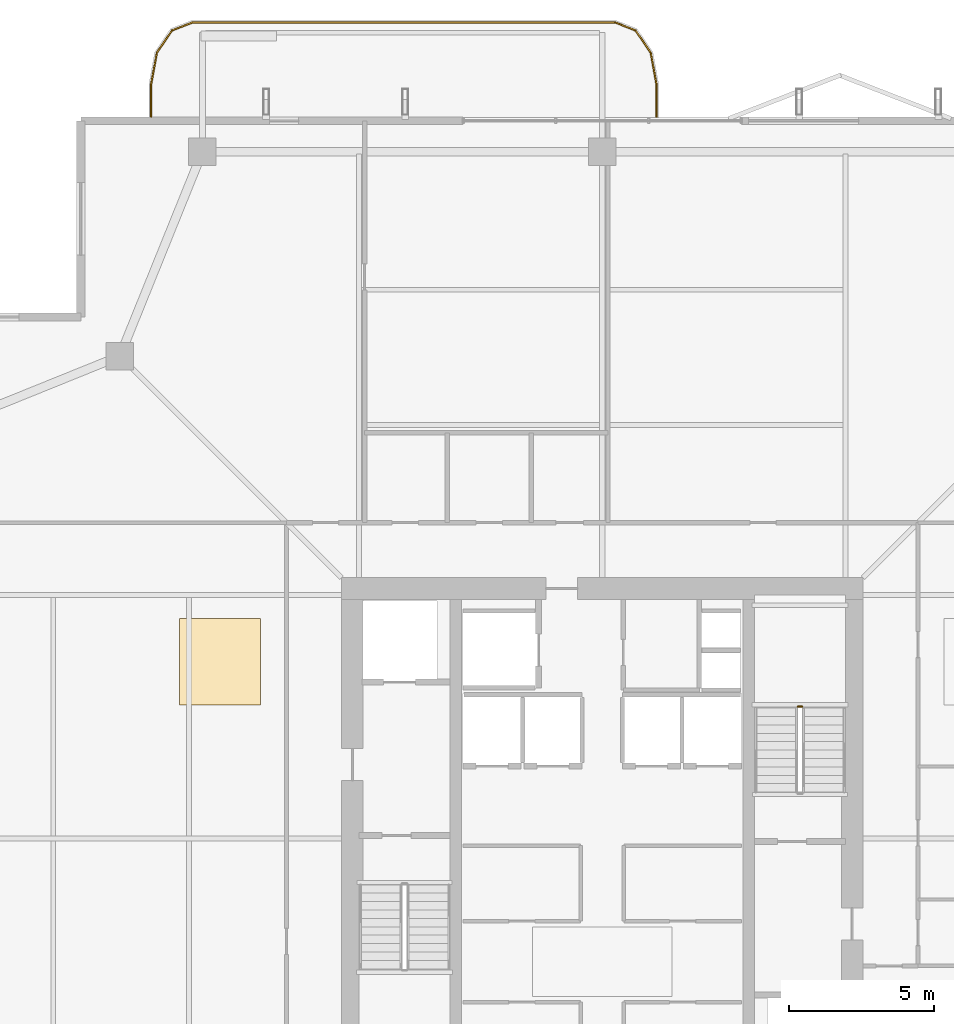
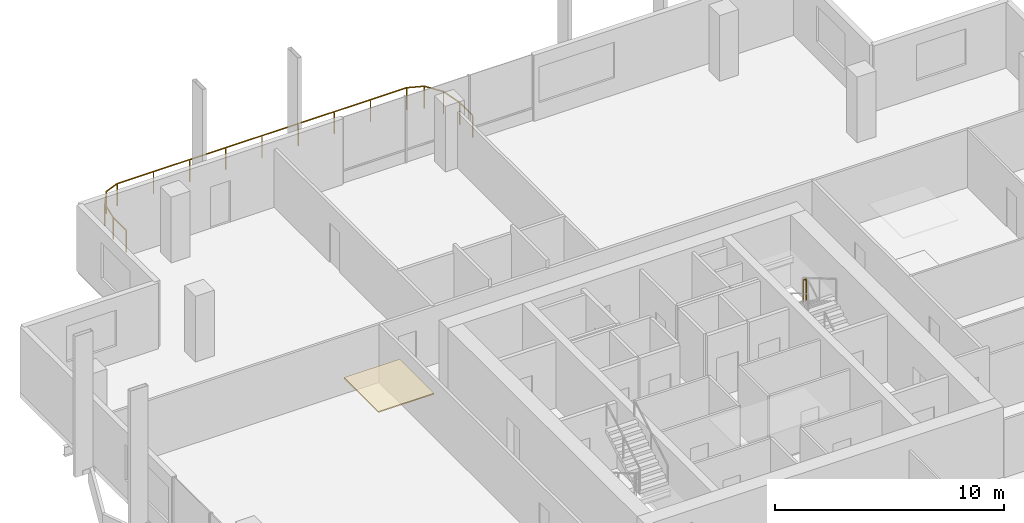
# One storey, part 24 of 25: 2 railings, 1 covering.
"""IFC4 building model written with IfcOpenShell, lengths in metres."""

from ifc_helpers import new_model, si_unit, direction, frame, origin, origin_2d, place, context, subcontext, project, spatial, polyline, rectangle, outline, extrude, material, layer, layer_set, type_object, element, save


model = new_model("IFC4")

# Units and contexts
model_context = context("Model", 3, precision=1e-05, world=origin(), true_north=direction((0.0, 1.0)))
body_context = subcontext(model_context, "Body", "Model", "MODEL_VIEW")
ifc_project = project(units=[si_unit("LENGTHUNIT", "METRE"), si_unit("AREAUNIT", "SQUARE_METRE"), si_unit("VOLUMEUNIT", "CUBIC_METRE"), si_unit("PLANEANGLEUNIT", "RADIAN"), si_unit("MASSUNIT", "GRAM", prefix="KILO")], contexts=[model_context])

# Site, building, storey
site_placement = place(None, origin())
site = spatial("IfcSite", under=ifc_project, at=site_placement, CompositionType="ELEMENT")
building_placement = place(site_placement, origin())
building = spatial("IfcBuilding", under=site, at=building_placement, Name="Belovzor Exchange Tower", CompositionType="ELEMENT")
storey_placement = place(building_placement, frame((0.0, 0.0, 250.35009765625)))
storey = spatial("IfcBuildingStorey", under=building, at=storey_placement, Name="L62", CompositionType="ELEMENT", Elevation=250.35009765625)

# Railings
ifc_material_1 = material(Name="Stainless Steel and Laminated Safety Glass", Category="steel")
railing_type_1 = type_object("IfcRailingType", Name="Laminated Glass & Stainless Steel Balcony Balustrade 1200", PredefinedType="BALUSTRADE", material=ifc_material_1)
railing_1_placement = place(storey_placement, frame((30.669921875, 53.7099609375, 0.0)))
element("IfcRailing", 1, at=railing_1_placement, inside=storey, type_object=railing_type_1, Name="GR-1 Balcony Balustrade L62 North", PredefinedType="BALUSTRADE", context=body_context, shape_type="SweptSolid", body=[
    extrude(rectangle(XDim=0.048095703125, YDim=0.048095703125, at=origin_2d()), frame((0.0, 0.0, 1.17578125), z_axis=(0.0, 1.0, 0.0), x_axis=(-1.0, 0.0, 0.0)), (0.0, 0.0, 1.0), 1.133056640625),
    extrude(rectangle(XDim=0.048095703125, YDim=0.048095703125, at=origin_2d()), frame((0.0, 1.133056640625, 1.17578125), z_axis=(-0.180122719713, 0.983644145941, 0.0), x_axis=(-0.983644145941, -0.180122719713, 0.0)), (0.0, 0.0, 1.0), 1.09375),
    extrude(rectangle(XDim=0.048095703125, YDim=0.048095703125, at=origin_2d()), frame((-0.197021484375, 2.208984375, 1.17578125), z_axis=(-0.562768145367, 0.826614792125, 0.0), x_axis=(-0.826614792125, -0.562768145367, 0.0)), (0.0, 0.0, 1.0), 0.9326171875),
    extrude(rectangle(XDim=0.048095703125, YDim=0.048095703125, at=origin_2d()), frame((-0.721923828125, 2.97998046875, 1.17578125), z_axis=(-0.930766990125, 0.365612923861, 0.0), x_axis=(-0.365612923861, -0.930766990125, 0.0)), (0.0, 0.0, 1.0), 0.765869140625),
    extrude(rectangle(XDim=0.048095703125, YDim=0.048095703125, at=origin_2d()), frame((-1.434814453125, 3.260009765625, 1.17578125), z_axis=(-1.0, 0.0, 0.0), x_axis=(0.0, -1.0, 0.0)), (0.0, 0.0, 1.0), 14.570068359375),
    extrude(rectangle(XDim=0.048095703125, YDim=0.048095703125, at=origin_2d()), frame((-16.0048828125, 3.260009765625, 1.17578125), z_axis=(-0.930809580156, -0.365504480807, 0.0), x_axis=(0.365504480807, -0.930809580156, 0.0)), (0.0, 0.0, 1.0), 0.76611328125),
    extrude(rectangle(XDim=0.048095703125, YDim=0.048095703125, at=origin_2d()), frame((-16.718017578125, 2.97998046875, 1.17578125), z_axis=(-0.562768145367, -0.826614792125, 0.0), x_axis=(0.826614792125, -0.562768145367, 0.0)), (0.0, 0.0, 1.0), 0.9326171875),
    extrude(rectangle(XDim=0.048095703125, YDim=0.048095703125, at=origin_2d()), frame((-17.242919921875, 2.208984375, 1.17578125), z_axis=(-0.180122719713, -0.983644145941, 0.0), x_axis=(0.983644145941, -0.180122719713, 0.0)), (0.0, 0.0, 1.0), 1.09375),
    extrude(rectangle(XDim=0.048095703125, YDim=0.048095703125, at=origin_2d()), frame((-17.43994140625, 1.133056640625, 1.17578125), z_axis=(0.0, -1.0, 0.0), x_axis=(1.0, 0.0, 0.0)), (0.0, 0.0, 1.0), 1.133056640625),
    extrude(rectangle(XDim=0.0419921875, YDim=0.0419921875, at=origin_2d()), origin(), (0.0, 0.0, 1.0), 1.15185546875),
    extrude(rectangle(XDim=0.0419921875, YDim=0.0419921875, at=origin_2d()), frame((0.0, 1.133056640625, 0.0)), (0.0, 0.0, 1.0), 1.15185546875),
    extrude(rectangle(XDim=0.0419921875, YDim=0.0419921875, at=origin_2d()), frame((-0.197021484375, 2.208984375, 0.0)), (0.0, 0.0, 1.0), 1.15185546875),
    extrude(rectangle(XDim=0.0419921875, YDim=0.0419921875, at=origin_2d()), frame((-0.721923828125, 2.97998046875, 0.0)), (0.0, 0.0, 1.0), 1.15185546875),
    extrude(rectangle(XDim=0.0419921875, YDim=0.0419921875, at=origin_2d()), frame((-1.434814453125, 3.260009765625, 0.0)), (0.0, 0.0, 1.0), 1.15185546875),
    extrude(rectangle(XDim=0.0419921875, YDim=0.0419921875, at=origin_2d()), frame((-3.256103515625, 3.260009765625, 0.0)), (0.0, 0.0, 1.0), 1.15185546875),
    extrude(rectangle(XDim=0.0419921875, YDim=0.0419921875, at=origin_2d()), frame((-5.077392578125, 3.260009765625, 0.0)), (0.0, 0.0, 1.0), 1.15185546875),
    extrude(rectangle(XDim=0.0419921875, YDim=0.0419921875, at=origin_2d()), frame((-6.898681640625, 3.260009765625, 0.0)), (0.0, 0.0, 1.0), 1.15185546875),
    extrude(rectangle(XDim=0.0419921875, YDim=0.0419921875, at=origin_2d()), frame((-8.7197265625, 3.260009765625, 0.0)), (0.0, 0.0, 1.0), 1.15185546875),
    extrude(rectangle(XDim=0.0419921875, YDim=0.0419921875, at=origin_2d()), frame((-10.541015625, 3.260009765625, 0.0)), (0.0, 0.0, 1.0), 1.15185546875),
    extrude(rectangle(XDim=0.0419921875, YDim=0.0419921875, at=origin_2d()), frame((-12.3623046875, 3.260009765625, 0.0)), (0.0, 0.0, 1.0), 1.15185546875),
    extrude(rectangle(XDim=0.0419921875, YDim=0.0419921875, at=origin_2d()), frame((-14.18359375, 3.260009765625, 0.0)), (0.0, 0.0, 1.0), 1.15185546875),
    extrude(rectangle(XDim=0.0419921875, YDim=0.0419921875, at=origin_2d()), frame((-16.0048828125, 3.260009765625, 0.0)), (0.0, 0.0, 1.0), 1.15185546875),
    extrude(rectangle(XDim=0.0419921875, YDim=0.0419921875, at=origin_2d()), frame((-16.718017578125, 2.97998046875, 0.0)), (0.0, 0.0, 1.0), 1.15185546875),
    extrude(rectangle(XDim=0.0419921875, YDim=0.0419921875, at=origin_2d()), frame((-17.242919921875, 2.208984375, 0.0)), (0.0, 0.0, 1.0), 1.15185546875),
    extrude(rectangle(XDim=0.0419921875, YDim=0.0419921875, at=origin_2d()), frame((-17.43994140625, 1.133056640625, 0.0)), (0.0, 0.0, 1.0), 1.15185546875),
    extrude(rectangle(XDim=0.0419921875, YDim=0.0419921875, at=origin_2d()), frame((-17.43994140625, 0.0, 0.0)), (0.0, 0.0, 1.0), 1.15185546875),
])
ifc_material_2 = material(Name="Steel S355", Category="steel")
railing_type_2 = type_object("IfcRailingType", Name="Painted Steel Stairwell Guardrail 1200", PredefinedType="GUARDRAIL", material=ifc_material_2)
railing_2_placement = place(storey_placement, frame((35.699951171875, 33.35009765625, 1.875)))
element("IfcRailing", 2, at=railing_2_placement, inside=storey, type_object=railing_type_2, Name="L62 ST-2 stair guard 2", PredefinedType="GUARDRAIL", context=body_context, shape_type="SweptSolid", body=[
    extrude(rectangle(XDim=0.048095703125, YDim=0.048095703125, at=origin_2d()), frame((0.0, 0.0, 1.17578125), z_axis=(-1.0, 0.0, 0.0), x_axis=(0.0, -1.0, 0.0)), (0.0, 0.0, 1.0), 0.14990234375),
    extrude(rectangle(XDim=0.0419921875, YDim=0.0419921875, at=origin_2d()), origin(), (0.0, 0.0, 1.0), 1.15185546875),
    extrude(rectangle(XDim=0.0419921875, YDim=0.0419921875, at=origin_2d()), frame((-0.14990234375, 0.0, 0.0)), (0.0, 0.0, 1.0), 1.15185546875),
])

# Covering
ifc_material_3 = material(Name="Perforated Powder-Coated Aluminium", Category="aluminium")
ifc_layer = layer(ifc_material_3, 0.06005859375)
ifc_layer_set = layer_set([ifc_layer], Name="Perforated Powder-Coated Aluminium")
covering_type = type_object("IfcCoveringType", Name="Perforated Acoustic Metal Tile Suspended Ceiling 60", PredefinedType="CEILING", material=ifc_layer_set)
covering_placement = place(storey_placement, frame((0.0, 0.0, 3.43994140625)))
element("IfcCovering", 3, at=covering_placement, inside=storey, type_object=covering_type, Name="CLG-AC60 Suspended Ceiling CLG-L62-Z3", PredefinedType="CEILING", context=body_context, shape_type="SweptSolid", body=[
    extrude(outline(polyline([(14.199951171875, 33.39990234375), (17.0, 33.39990234375), (17.0, 36.39990234375), (14.199951171875, 36.39990234375), (14.199951171875, 33.39990234375)])), origin(), (0.0, 0.0, 1.0), 0.06005859375),
])

save(model, "model.ifc")
